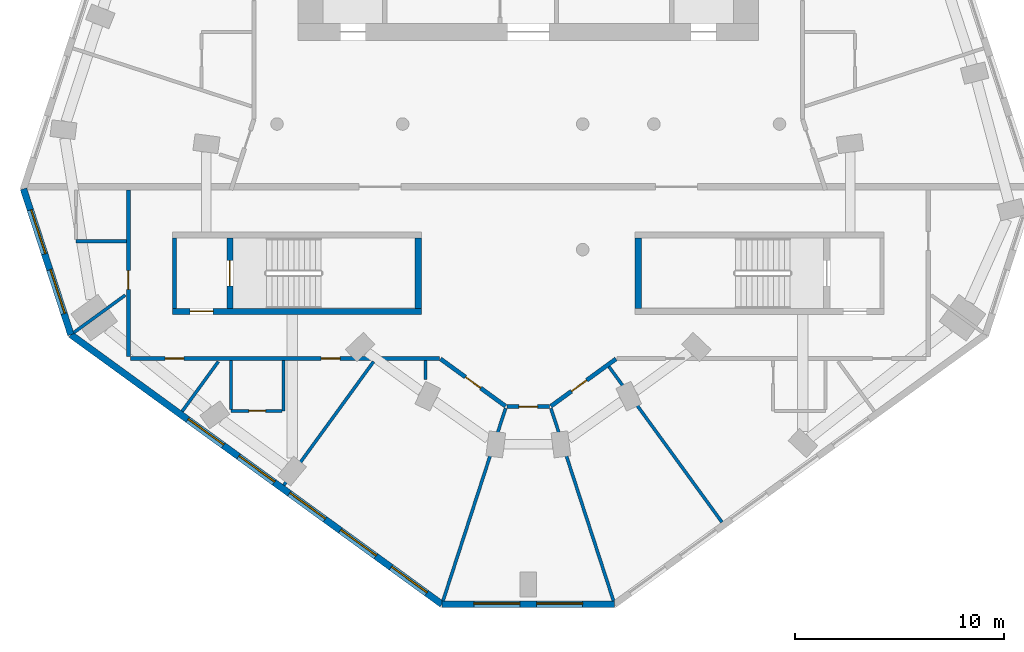
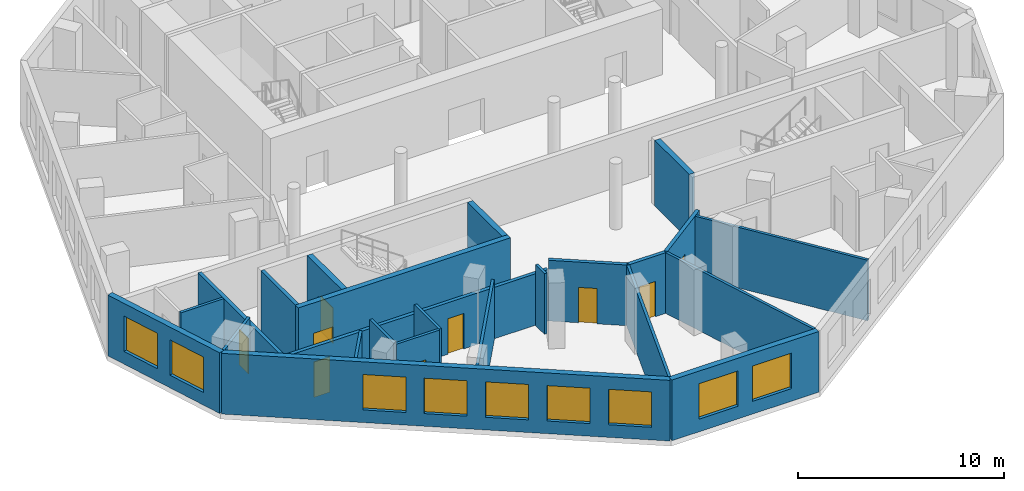
# One storey, part 2 of 9: 24 walls, 9 doors, 9 windows, 18 openings.
"""IFC4 building model written with IfcOpenShell, lengths in metres."""

from ifc_helpers import new_model, si_unit, direction, frame, frame_2d, origin, place, context, subcontext, project, spatial, rectangle, extrude, material, layer, layer_set, type_object, element, fill, save


model = new_model("IFC4")

# Units and contexts
model_context = context("Model", 3, precision=1e-05, world=origin(), true_north=direction((0.0, 1.0)))
body_context = subcontext(model_context, "Body", "Model", "MODEL_VIEW")
ifc_project = project(units=[si_unit("LENGTHUNIT", "METRE"), si_unit("AREAUNIT", "SQUARE_METRE"), si_unit("VOLUMEUNIT", "CUBIC_METRE"), si_unit("PLANEANGLEUNIT", "RADIAN"), si_unit("MASSUNIT", "GRAM", prefix="KILO")], contexts=[model_context])

# Site, building, storey
site_placement = place(None, origin())
site = spatial("IfcSite", under=ifc_project, at=site_placement, CompositionType="ELEMENT")
building_placement = place(site_placement, origin())
building = spatial("IfcBuilding", under=site, at=building_placement, Name="White Candle Pilgrim Tower", CompositionType="ELEMENT")
storey_placement = place(building_placement, frame((0.0, 0.0, 235.5)))
storey = spatial("IfcBuildingStorey", under=building, at=storey_placement, Name="L55", CompositionType="ELEMENT", Elevation=235.5)

# Wall
ifc_material_1 = material(Name="Concrete C50/60", Category="concrete")
ifc_layer_1 = layer(ifc_material_1, 0.199951171875)
ifc_layer_set_1 = layer_set([ifc_layer_1], Name="Core wall 200 mm Concrete C50/60")
wall_type_1 = type_object("IfcWallType", Name="Core wall 200 mm Concrete C50/60", PredefinedType="SHEAR", material=ifc_layer_set_1)
wall_1_placement = place(storey_placement, frame((53.10009765625, 58.199951171875, 0.0), z_axis=(0.0, 0.0, 1.0), x_axis=(0.0, 1.0, 0.0)))
element("IfcWall", 1, at=wall_1_placement, inside=storey, type_object=wall_type_1, Name="WL-L55-C03", PredefinedType="SHEAR", context=body_context, shape_type="SweptSolid", body=[
    extrude(rectangle(XDim=3.35009765625, YDim=0.199951171875, at=frame_2d((1.675048828125, 0.0))), origin(), (0.0, 0.0, 1.0), 3.89990234375),
])

# Wall, opening, door
ifc_material_2 = material(Name="Gypsum board on steel studs", Category="steel")
ifc_layer_2 = layer(ifc_material_2, 0.199951171875)
ifc_layer_set_2 = layer_set([ifc_layer_2], Name="Corridor wall 200 mm EI 45")
wall_type_2 = type_object("IfcWallType", Name="Corridor wall 200 mm EI 45", PredefinedType="PARTITIONING", material=ifc_layer_set_2)
wall_2_placement = place(storey_placement, frame((74.18994140625, 55.781005859375, 0.0), z_axis=(0.0, 0.0, 1.0), x_axis=(-0.809008130168, -0.587797452633, 0.0)))
wall_2 = element("IfcWall", 2, at=wall_2_placement, inside=storey, type_object=wall_type_2, Name="WL-L55-P008", PredefinedType="PARTITIONING", context=body_context, shape_type="SweptSolid", body=[
    extrude(rectangle(XDim=3.8408203125, YDim=0.199951171875, at=frame_2d((1.92041015625, 0.0))), origin(), (0.0, 0.0, 1.0), 3.60009765625),
])
opening_1_placement = place(wall_2_placement, frame((1.730712890625, 0.0, 0.0)))
opening_1 = element("IfcOpeningElement", 3, at=opening_1_placement, cuts=wall_2, Name="Opening T17-110", PredefinedType="OPENING", context=body_context, shape_type="SweptSolid", body=[
    extrude(rectangle(XDim=0.89990234375, YDim=2.10009765625, at=frame_2d((0.449951171875, 1.050048828125))), frame((0.0, 0.10986328125, 0.0), z_axis=(0.0, -1.0, 0.0), x_axis=(1.0, 0.0, 0.0)), (0.0, 0.0, 1.0), 0.219970703125),
])
ifc_material_3 = material(Name="Steel door leaf", Category="steel")
door_type_1 = type_object("IfcDoorType", Name="Fire door 900 x 2100 EI 30", OperationType="NOTDEFINED", PredefinedType="DOOR", material=ifc_material_3)
door_1_placement = place(opening_1_placement, origin())
door_1 = element("IfcDoor", 4, at=door_1_placement, inside=storey, type_object=door_type_1, Name="Door T17-110", OperationType="SINGLE_SWING_RIGHT", OverallHeight=2.10009765625, OverallWidth=0.89990234375, PredefinedType="DOOR", context=body_context, shape_type="SweptSolid", body=[
    extrude(rectangle(XDim=0.89990234375, YDim=2.10009765625, at=frame_2d((0.449951171875, 1.050048828125))), frame((0.0, 0.02490234375, 0.0), z_axis=(0.0, -1.0, 0.0), x_axis=(1.0, 0.0, 0.0)), (0.0, 0.0, 1.0), 0.050048828125),
])
fill(opening_1, door_1)

wall_3_placement = place(storey_placement, frame((71.02392578125, 53.50439453125, 0.0), z_axis=(0.0, 0.0, 1.0), x_axis=(-1.0, 0.0, 0.0)))
wall_3 = element("IfcWall", 5, at=wall_3_placement, inside=storey, type_object=wall_type_2, Name="WL-L55-P009", PredefinedType="PARTITIONING", context=body_context, shape_type="SweptSolid", body=[
    extrude(rectangle(XDim=2.0478515625, YDim=0.199951171875, at=frame_2d((1.02392578125, 0.0))), origin(), (0.0, 0.0, 1.0), 3.60009765625),
])
opening_2_placement = place(wall_3_placement, frame((0.573974609375, 0.0, 0.0)))
opening_2 = element("IfcOpeningElement", 6, at=opening_2_placement, cuts=wall_3, Name="Opening T17-109", PredefinedType="OPENING", context=body_context, shape_type="SweptSolid", body=[
    extrude(rectangle(XDim=0.89990234375, YDim=2.10009765625, at=frame_2d((0.449951171875, 1.050048828125))), frame((0.0, 0.10986328125, 0.0), z_axis=(0.0, -1.0, 0.0), x_axis=(1.0, 0.0, 0.0)), (0.0, 0.0, 1.0), 0.219970703125),
])
door_2_placement = place(opening_2_placement, origin())
door_2 = element("IfcDoor", 7, at=door_2_placement, inside=storey, type_object=door_type_1, Name="Door T17-109", OperationType="SINGLE_SWING_LEFT", OverallHeight=2.10009765625, OverallWidth=0.89990234375, PredefinedType="DOOR", context=body_context, shape_type="SweptSolid", body=[
    extrude(rectangle(XDim=0.89990234375, YDim=2.10009765625, at=frame_2d((0.449951171875, 1.050048828125))), frame((0.0, 0.02490234375, 0.0), z_axis=(0.0, -1.0, 0.0), x_axis=(1.0, 0.0, 0.0)), (0.0, 0.0, 1.0), 0.050048828125),
])
fill(opening_2, door_2)

wall_4_placement = place(storey_placement, frame((68.917236328125, 53.5234375, 0.0), z_axis=(0.0, 0.0, 1.0), x_axis=(-0.809008130168, 0.587797452633, 0.0)))
wall_4 = element("IfcWall", 8, at=wall_4_placement, inside=storey, type_object=wall_type_2, Name="WL-L55-P010", PredefinedType="PARTITIONING", context=body_context, shape_type="SweptSolid", body=[
    extrude(rectangle(XDim=3.8408203125, YDim=0.199951171875, at=frame_2d((1.92041015625, 0.0))), origin(), (0.0, 0.0, 1.0), 3.60009765625),
])
opening_3_placement = place(wall_4_placement, frame((1.47021484375, 0.0, 0.0)))
opening_3 = element("IfcOpeningElement", 9, at=opening_3_placement, cuts=wall_4, Name="Opening T17-108", PredefinedType="OPENING", context=body_context, shape_type="SweptSolid", body=[
    extrude(rectangle(XDim=0.89990234375, YDim=2.10009765625, at=frame_2d((0.449951171875, 1.050048828125))), frame((0.0, 0.10986328125, 0.0), z_axis=(0.0, -1.0, 0.0), x_axis=(1.0, 0.0, 0.0)), (0.0, 0.0, 1.0), 0.219970703125),
])
door_3_placement = place(opening_3_placement, origin())
door_3 = element("IfcDoor", 10, at=door_3_placement, inside=storey, type_object=door_type_1, Name="Door T17-108", OperationType="SINGLE_SWING_RIGHT", OverallHeight=2.10009765625, OverallWidth=0.89990234375, PredefinedType="DOOR", context=body_context, shape_type="SweptSolid", body=[
    extrude(rectangle(XDim=0.89990234375, YDim=2.10009765625, at=frame_2d((0.449951171875, 1.050048828125))), frame((0.0, 0.02490234375, 0.0), z_axis=(0.0, -1.0, 0.0), x_axis=(1.0, 0.0, 0.0)), (0.0, 0.0, 1.0), 0.050048828125),
])
fill(opening_3, door_3)

# Wall, openings, doors
wall_5_placement = place(storey_placement, frame((65.751220703125, 55.800048828125, 0.0), z_axis=(0.0, 0.0, 1.0), x_axis=(-1.0, 0.0, 0.0)))
wall_5 = element("IfcWall", 11, at=wall_5_placement, inside=storey, type_object=wall_type_2, Name="WL-L55-P011", PredefinedType="PARTITIONING", context=body_context, shape_type="SweptSolid", body=[
    extrude(rectangle(XDim=14.751220703125, YDim=0.199951171875, at=frame_2d((7.37548828125, 0.0))), origin(), (0.0, 0.0, 1.0), 3.050048828125),
])
opening_4_placement = place(wall_5_placement, frame((12.19970703125, 0.0, 0.0)))
opening_4 = element("IfcOpeningElement", 12, at=opening_4_placement, cuts=wall_5, Name="Opening T17-105", PredefinedType="OPENING", context=body_context, shape_type="SweptSolid", body=[
    extrude(rectangle(XDim=0.89990234375, YDim=2.10009765625, at=frame_2d((0.449951171875, 1.050048828125))), frame((0.0, 0.10986328125, 0.0), z_axis=(0.0, -1.0, 0.0), x_axis=(1.0, 0.0, 0.0)), (0.0, 0.0, 1.0), 0.219970703125),
])
opening_5_placement = place(wall_5_placement, frame((4.739990234375, 0.0, 0.0)))
opening_5 = element("IfcOpeningElement", 13, at=opening_5_placement, cuts=wall_5, Name="Opening T17-107", PredefinedType="OPENING", context=body_context, shape_type="SweptSolid", body=[
    extrude(rectangle(XDim=0.89990234375, YDim=2.10009765625, at=frame_2d((0.449951171875, 1.050048828125))), frame((0.0, 0.10986328125, 0.0), z_axis=(0.0, -1.0, 0.0), x_axis=(1.0, 0.0, 0.0)), (0.0, 0.0, 1.0), 0.219970703125),
])
door_4_placement = place(opening_4_placement, origin())
door_4 = element("IfcDoor", 14, at=door_4_placement, inside=storey, type_object=door_type_1, Name="Door T17-105", OperationType="SINGLE_SWING_LEFT", OverallHeight=2.10009765625, OverallWidth=0.89990234375, PredefinedType="DOOR", context=body_context, shape_type="SweptSolid", body=[
    extrude(rectangle(XDim=0.89990234375, YDim=2.10009765625, at=frame_2d((0.449951171875, 1.050048828125))), frame((0.0, 0.02490234375, 0.0), z_axis=(0.0, -1.0, 0.0), x_axis=(1.0, 0.0, 0.0)), (0.0, 0.0, 1.0), 0.050048828125),
])
fill(opening_4, door_4)
door_5_placement = place(opening_5_placement, origin())
door_5 = element("IfcDoor", 15, at=door_5_placement, inside=storey, type_object=door_type_1, Name="Door T17-107", OperationType="SINGLE_SWING_LEFT", OverallHeight=2.10009765625, OverallWidth=0.89990234375, PredefinedType="DOOR", context=body_context, shape_type="SweptSolid", body=[
    extrude(rectangle(XDim=0.89990234375, YDim=2.10009765625, at=frame_2d((0.449951171875, 1.050048828125))), frame((0.0, 0.02490234375, 0.0), z_axis=(0.0, -1.0, 0.0), x_axis=(1.0, 0.0, 0.0)), (0.0, 0.0, 1.0), 0.050048828125),
])
fill(opening_5, door_5)

# Wall, opening, door
wall_6_placement = place(storey_placement, frame((50.89990234375, 55.89990234375, 0.0), z_axis=(0.0, 0.0, 1.0), x_axis=(0.0, 1.0, 0.0)))
wall_6 = element("IfcWall", 16, at=wall_6_placement, inside=storey, type_object=wall_type_2, Name="WL-L55-P012", PredefinedType="PARTITIONING", context=body_context, shape_type="SweptSolid", body=[
    extrude(rectangle(XDim=7.9501953125, YDim=0.199951171875, at=frame_2d((3.97509765625, 0.0))), origin(), (0.0, 0.0, 1.0), 3.14990234375),
])
opening_6_placement = place(wall_6_placement, frame((3.203369140625, 0.0, 0.0)))
opening_6 = element("IfcOpeningElement", 17, at=opening_6_placement, cuts=wall_6, Name="Opening T17-104", PredefinedType="OPENING", context=body_context, shape_type="SweptSolid", body=[
    extrude(rectangle(XDim=0.89990234375, YDim=2.10009765625, at=frame_2d((0.449951171875, 1.050048828125))), frame((0.0, 0.10986328125, 0.0), z_axis=(0.0, -1.0, 0.0), x_axis=(1.0, 0.0, 0.0)), (0.0, 0.0, 1.0), 0.219970703125),
])
door_6_placement = place(opening_6_placement, origin())
door_6 = element("IfcDoor", 18, at=door_6_placement, inside=storey, type_object=door_type_1, Name="Door T17-104", OperationType="SINGLE_SWING_RIGHT", OverallHeight=2.10009765625, OverallWidth=0.89990234375, PredefinedType="DOOR", context=body_context, shape_type="SweptSolid", body=[
    extrude(rectangle(XDim=0.89990234375, YDim=2.10009765625, at=frame_2d((0.449951171875, 1.050048828125))), frame((0.0, 0.02490234375, 0.0), z_axis=(0.0, -1.0, 0.0), x_axis=(1.0, 0.0, 0.0)), (0.0, 0.0, 1.0), 0.050048828125),
])
fill(opening_6, door_6)

# Wall, openings, windows
ifc_material_4 = material(Name="Precast concrete C40/50", Category="concrete")
ifc_layer_3 = layer(ifc_material_4, 0.320068359375)
ifc_layer_set_3 = layer_set([ifc_layer_3], Name="Facade wall EW1 precast concrete C40/50 pier wall with timber-lined reveals")
wall_type_3 = type_object("IfcWallType", Name="Facade wall EW1 precast concrete C40/50 pier wall with timber-lined reveals", PredefinedType="SOLIDWALL", material=ifc_layer_set_3)
wall_7_placement = place(storey_placement, frame((45.8935546875, 63.900390625, 0.0), z_axis=(0.0, 0.0, 1.0), x_axis=(0.309034031294, -0.951050980496, 0.0)))
wall_7 = element("IfcWall", 19, at=wall_7_placement, inside=storey, type_object=wall_type_3, Name="Facade wall L55 W chamfer", PredefinedType="SOLIDWALL", context=body_context, shape_type="SweptSolid", body=[
    extrude(rectangle(XDim=7.319580078125, YDim=0.320068359375, at=frame_2d((3.65966796875, 0.0))), origin(), (0.0, 0.0, 1.0), 3.60009765625),
])
opening_7_placement = place(wall_7_placement, frame((1.059814453125, 0.0, 0.75)))
opening_7 = element("IfcOpeningElement", 20, at=opening_7_placement, cuts=wall_7, Name="Opening W4", PredefinedType="OPENING", context=body_context, shape_type="SweptSolid", body=[
    extrude(rectangle(XDim=2.199951171875, YDim=2.10009765625, at=frame_2d((1.10009765625, 1.050048828125))), frame((0.0, 0.169921875, 0.0), z_axis=(0.0, -1.0, 0.0), x_axis=(1.0, 0.0, 0.0)), (0.0, 0.0, 1.0), 0.340087890625),
])
opening_8_placement = place(wall_7_placement, frame((4.059814453125, 0.0, 0.75)))
opening_8 = element("IfcOpeningElement", 21, at=opening_8_placement, cuts=wall_7, Name="Opening W4", PredefinedType="OPENING", context=body_context, shape_type="SweptSolid", body=[
    extrude(rectangle(XDim=2.199951171875, YDim=2.10009765625, at=frame_2d((1.10009765625, 1.050048828125))), frame((0.0, 0.169921875, 0.0), z_axis=(0.0, -1.0, 0.0), x_axis=(1.0, 0.0, 0.0)), (0.0, 0.0, 1.0), 0.340087890625),
])
ifc_material_5 = material(Name="Timber frame with triple glazing", Category="wood")
window_type_1 = type_object("IfcWindowType", Name="Window W4 2200x2100 timber frame triple glazing", PartitioningType="SINGLE_PANEL", PredefinedType="WINDOW", material=ifc_material_5)
window_1_placement = place(opening_7_placement, origin())
window_1 = element("IfcWindow", 22, at=window_1_placement, inside=storey, type_object=window_type_1, Name="Window W4 L55 W chamfer 1", OverallHeight=2.10009765625, OverallWidth=2.199951171875, PartitioningType="SINGLE_PANEL", PredefinedType="WINDOW", context=body_context, shape_type="SweptSolid", body=[
    extrude(rectangle(XDim=2.199951171875, YDim=2.10009765625, at=frame_2d((1.10009765625, 1.050048828125))), frame((0.0, 0.070068359375, 0.0), z_axis=(0.0, -1.0, 0.0), x_axis=(1.0, 0.0, 0.0)), (0.0, 0.0, 1.0), 0.06005859375),
])
fill(opening_7, window_1)
window_2_placement = place(opening_8_placement, origin())
window_2 = element("IfcWindow", 23, at=window_2_placement, inside=storey, type_object=window_type_1, Name="Window W4 L55 W chamfer 2", OverallHeight=2.10009765625, OverallWidth=2.199951171875, PartitioningType="SINGLE_PANEL", PredefinedType="WINDOW", context=body_context, shape_type="SweptSolid", body=[
    extrude(rectangle(XDim=2.199951171875, YDim=2.10009765625, at=frame_2d((1.10009765625, 1.050048828125))), frame((0.0, 0.070068359375, 0.0), z_axis=(0.0, -1.0, 0.0), x_axis=(1.0, 0.0, 0.0)), (0.0, 0.0, 1.0), 0.06005859375),
])
fill(opening_8, window_2)

wall_8_placement = place(storey_placement, frame((48.155517578125, 56.939208984375, 0.0), z_axis=(0.0, 0.0, 1.0), x_axis=(0.809013617361, -0.587789900325, 0.0)))
wall_8 = element("IfcWall", 24, at=wall_8_placement, inside=storey, type_object=wall_type_3, Name="Facade wall L55 SW", PredefinedType="SOLIDWALL", context=body_context, shape_type="SweptSolid", body=[
    extrude(rectangle(XDim=21.904052734375, YDim=0.320068359375, at=frame_2d((10.9521484375, 0.0))), origin(), (0.0, 0.0, 1.0), 3.60009765625),
])
opening_9_placement = place(wall_8_placement, frame((6.902099609375, 0.0, 0.75)))
opening_9 = element("IfcOpeningElement", 25, at=opening_9_placement, cuts=wall_8, Name="Opening W3", PredefinedType="OPENING", context=body_context, shape_type="SweptSolid", body=[
    extrude(rectangle(XDim=2.10009765625, YDim=2.10009765625, at=frame_2d((1.050048828125, 1.050048828125))), frame((0.0, 0.169921875, 0.0), z_axis=(0.0, -1.0, 0.0), x_axis=(1.0, 0.0, 0.0)), (0.0, 0.0, 1.0), 0.340087890625),
])
opening_10_placement = place(wall_8_placement, frame((9.902099609375, 0.0, 0.75)))
opening_10 = element("IfcOpeningElement", 26, at=opening_10_placement, cuts=wall_8, Name="Opening W3", PredefinedType="OPENING", context=body_context, shape_type="SweptSolid", body=[
    extrude(rectangle(XDim=2.10009765625, YDim=2.10009765625, at=frame_2d((1.050048828125, 1.050048828125))), frame((0.0, 0.169921875, 0.0), z_axis=(0.0, -1.0, 0.0), x_axis=(1.0, 0.0, 0.0)), (0.0, 0.0, 1.0), 0.340087890625),
])
opening_11_placement = place(wall_8_placement, frame((12.902099609375, 0.0, 0.75)))
opening_11 = element("IfcOpeningElement", 27, at=opening_11_placement, cuts=wall_8, Name="Opening W3", PredefinedType="OPENING", context=body_context, shape_type="SweptSolid", body=[
    extrude(rectangle(XDim=2.10009765625, YDim=2.10009765625, at=frame_2d((1.050048828125, 1.050048828125))), frame((0.0, 0.169921875, 0.0), z_axis=(0.0, -1.0, 0.0), x_axis=(1.0, 0.0, 0.0)), (0.0, 0.0, 1.0), 0.340087890625),
])
opening_12_placement = place(wall_8_placement, frame((15.902099609375, 0.0, 0.75)))
opening_12 = element("IfcOpeningElement", 28, at=opening_12_placement, cuts=wall_8, Name="Opening W3", PredefinedType="OPENING", context=body_context, shape_type="SweptSolid", body=[
    extrude(rectangle(XDim=2.10009765625, YDim=2.10009765625, at=frame_2d((1.050048828125, 1.050048828125))), frame((0.0, 0.169921875, 0.0), z_axis=(0.0, -1.0, 0.0), x_axis=(1.0, 0.0, 0.0)), (0.0, 0.0, 1.0), 0.340087890625),
])
opening_13_placement = place(wall_8_placement, frame((18.902099609375, 0.0, 0.75)))
opening_13 = element("IfcOpeningElement", 29, at=opening_13_placement, cuts=wall_8, Name="Opening W3", PredefinedType="OPENING", context=body_context, shape_type="SweptSolid", body=[
    extrude(rectangle(XDim=2.10009765625, YDim=2.10009765625, at=frame_2d((1.050048828125, 1.050048828125))), frame((0.0, 0.169921875, 0.0), z_axis=(0.0, -1.0, 0.0), x_axis=(1.0, 0.0, 0.0)), (0.0, 0.0, 1.0), 0.340087890625),
])
window_type_2 = type_object("IfcWindowType", Name="Window W3 2100x2100 timber frame triple glazing", PartitioningType="SINGLE_PANEL", PredefinedType="WINDOW", material=ifc_material_5)
window_3_placement = place(opening_9_placement, origin())
window_3 = element("IfcWindow", 30, at=window_3_placement, inside=storey, type_object=window_type_2, Name="Window W3 L55 SW 3", OverallHeight=2.10009765625, OverallWidth=2.10009765625, PartitioningType="SINGLE_PANEL", PredefinedType="WINDOW", context=body_context, shape_type="SweptSolid", body=[
    extrude(rectangle(XDim=2.10009765625, YDim=2.10009765625, at=frame_2d((1.050048828125, 1.050048828125))), frame((0.0, 0.070068359375, 0.0), z_axis=(0.0, -1.0, 0.0), x_axis=(1.0, 0.0, 0.0)), (0.0, 0.0, 1.0), 0.06005859375),
])
fill(opening_9, window_3)
window_4_placement = place(opening_10_placement, origin())
window_4 = element("IfcWindow", 31, at=window_4_placement, inside=storey, type_object=window_type_2, Name="Window W3 L55 SW 4", OverallHeight=2.10009765625, OverallWidth=2.10009765625, PartitioningType="SINGLE_PANEL", PredefinedType="WINDOW", context=body_context, shape_type="SweptSolid", body=[
    extrude(rectangle(XDim=2.10009765625, YDim=2.10009765625, at=frame_2d((1.050048828125, 1.050048828125))), frame((0.0, 0.070068359375, 0.0), z_axis=(0.0, -1.0, 0.0), x_axis=(1.0, 0.0, 0.0)), (0.0, 0.0, 1.0), 0.06005859375),
])
fill(opening_10, window_4)
window_5_placement = place(opening_11_placement, origin())
window_5 = element("IfcWindow", 32, at=window_5_placement, inside=storey, type_object=window_type_2, Name="Window W3 L55 SW 5", OverallHeight=2.10009765625, OverallWidth=2.10009765625, PartitioningType="SINGLE_PANEL", PredefinedType="WINDOW", context=body_context, shape_type="SweptSolid", body=[
    extrude(rectangle(XDim=2.10009765625, YDim=2.10009765625, at=frame_2d((1.050048828125, 1.050048828125))), frame((0.0, 0.070068359375, 0.0), z_axis=(0.0, -1.0, 0.0), x_axis=(1.0, 0.0, 0.0)), (0.0, 0.0, 1.0), 0.06005859375),
])
fill(opening_11, window_5)
window_6_placement = place(opening_12_placement, origin())
window_6 = element("IfcWindow", 33, at=window_6_placement, inside=storey, type_object=window_type_2, Name="Window W3 L55 SW 6", OverallHeight=2.10009765625, OverallWidth=2.10009765625, PartitioningType="SINGLE_PANEL", PredefinedType="WINDOW", context=body_context, shape_type="SweptSolid", body=[
    extrude(rectangle(XDim=2.10009765625, YDim=2.10009765625, at=frame_2d((1.050048828125, 1.050048828125))), frame((0.0, 0.070068359375, 0.0), z_axis=(0.0, -1.0, 0.0), x_axis=(1.0, 0.0, 0.0)), (0.0, 0.0, 1.0), 0.06005859375),
])
fill(opening_12, window_6)
window_7_placement = place(opening_13_placement, origin())
window_7 = element("IfcWindow", 34, at=window_7_placement, inside=storey, type_object=window_type_2, Name="Window W3 L55 SW 7", OverallHeight=2.10009765625, OverallWidth=2.10009765625, PartitioningType="SINGLE_PANEL", PredefinedType="WINDOW", context=body_context, shape_type="SweptSolid", body=[
    extrude(rectangle(XDim=2.10009765625, YDim=2.10009765625, at=frame_2d((1.050048828125, 1.050048828125))), frame((0.0, 0.070068359375, 0.0), z_axis=(0.0, -1.0, 0.0), x_axis=(1.0, 0.0, 0.0)), (0.0, 0.0, 1.0), 0.06005859375),
])
fill(opening_13, window_7)

wall_9_placement = place(storey_placement, frame((65.876220703125, 44.064208984375, 0.0), z_axis=(0.0, 0.0, 1.0), x_axis=(1.0, 0.0, 0.0)))
wall_9 = element("IfcWall", 35, at=wall_9_placement, inside=storey, type_object=wall_type_3, Name="Facade wall L55 S chamfer", PredefinedType="SOLIDWALL", context=body_context, shape_type="SweptSolid", body=[
    extrude(rectangle(XDim=8.24755859375, YDim=0.320068359375, at=frame_2d((4.123779296875, 0.0))), origin(), (0.0, 0.0, 1.0), 3.60009765625),
])
opening_14_placement = place(wall_9_placement, frame((1.523681640625, 0.0, 0.75)))
opening_14 = element("IfcOpeningElement", 36, at=opening_14_placement, cuts=wall_9, Name="Opening W4", PredefinedType="OPENING", context=body_context, shape_type="SweptSolid", body=[
    extrude(rectangle(XDim=2.199951171875, YDim=2.10009765625, at=frame_2d((1.10009765625, 1.050048828125))), frame((0.0, 0.169921875, 0.0), z_axis=(0.0, -1.0, 0.0), x_axis=(1.0, 0.0, 0.0)), (0.0, 0.0, 1.0), 0.340087890625),
])
opening_15_placement = place(wall_9_placement, frame((4.523681640625, 0.0, 0.75)))
opening_15 = element("IfcOpeningElement", 37, at=opening_15_placement, cuts=wall_9, Name="Opening W4", PredefinedType="OPENING", context=body_context, shape_type="SweptSolid", body=[
    extrude(rectangle(XDim=2.199951171875, YDim=2.10009765625, at=frame_2d((1.10009765625, 1.050048828125))), frame((0.0, 0.169921875, 0.0), z_axis=(0.0, -1.0, 0.0), x_axis=(1.0, 0.0, 0.0)), (0.0, 0.0, 1.0), 0.340087890625),
])
window_8_placement = place(opening_14_placement, origin())
window_8 = element("IfcWindow", 38, at=window_8_placement, inside=storey, type_object=window_type_1, Name="Window W4 L55 S chamfer 1", OverallHeight=2.10009765625, OverallWidth=2.199951171875, PartitioningType="SINGLE_PANEL", PredefinedType="WINDOW", context=body_context, shape_type="SweptSolid", body=[
    extrude(rectangle(XDim=2.199951171875, YDim=2.10009765625, at=frame_2d((1.10009765625, 1.050048828125))), frame((0.0, 0.070068359375, 0.0), z_axis=(0.0, -1.0, 0.0), x_axis=(1.0, 0.0, 0.0)), (0.0, 0.0, 1.0), 0.06005859375),
])
fill(opening_14, window_8)
window_9_placement = place(opening_15_placement, origin())
window_9 = element("IfcWindow", 39, at=window_9_placement, inside=storey, type_object=window_type_1, Name="Window W4 L55 S chamfer 2", OverallHeight=2.10009765625, OverallWidth=2.199951171875, PartitioningType="SINGLE_PANEL", PredefinedType="WINDOW", context=body_context, shape_type="SweptSolid", body=[
    extrude(rectangle(XDim=2.199951171875, YDim=2.10009765625, at=frame_2d((1.10009765625, 1.050048828125))), frame((0.0, 0.070068359375, 0.0), z_axis=(0.0, -1.0, 0.0), x_axis=(1.0, 0.0, 0.0)), (0.0, 0.0, 1.0), 0.06005859375),
])
fill(opening_15, window_9)

# Walls
ifc_layer_4 = layer(ifc_material_2, 0.14990234375)
ifc_layer_set_4 = layer_set([ifc_layer_4], Name="Partition 150 mm EI 60")
wall_type_4 = type_object("IfcWallType", Name="Partition 150 mm EI 60", PredefinedType="PARTITIONING", material=ifc_layer_set_4)
wall_10_placement = place(storey_placement, frame((48.29150390625, 57.0380859375, 0.0), z_axis=(0.0, 0.0, 1.0), x_axis=(0.809006333386, 0.587799925605, 0.0)))
element("IfcWall", 40, at=wall_10_placement, inside=storey, type_object=wall_type_4, Name="WL-L55-P014", PredefinedType="PARTITIONING", context=body_context, shape_type="SweptSolid", body=[
    extrude(rectangle(XDim=3.046142578125, YDim=0.14990234375, at=frame_2d((1.52294921875, 0.0))), origin(), (0.0, 0.0, 1.0), 3.60009765625),
])
for number, where, z_axis, x_axis, name in (
    (41, (65.92822265625, 44.224365234375, 0.0), (0.0, 0.0, 1.0), (0.309025002574, 0.951053914236, 0.0), "WL-L55-P015"),
    (42, (74.07177734375, 44.224365234375, 0.0), (0.0, 0.0, 1.0), (-0.309025002574, 0.951053914236, 0.0), "WL-L55-P016"),
):
    element("IfcWall", number, at=place(storey_placement, frame(where, z_axis=z_axis, x_axis=x_axis)), inside=storey, type_object=wall_type_4, Name=name, PredefinedType="PARTITIONING", context=body_context, shape_type="SweptSolid", body=[
        extrude(rectangle(XDim=9.67236328125, YDim=0.14990234375, at=frame_2d((4.836181640625, 0.0))), origin(), (0.0, 0.0, 1.0), 3.60009765625),
    ])
wall_11_placement = place(storey_placement, frame((50.800048828125, 61.400390625, 0.0), z_axis=(0.0, 0.0, 1.0), x_axis=(-1.0, 0.0, 0.0)))
element("IfcWall", 43, at=wall_11_placement, inside=storey, type_object=wall_type_4, Name="WL-L55-P026", PredefinedType="PARTITIONING", context=body_context, shape_type="SweptSolid", body=[
    extrude(rectangle(XDim=2.400146484375, YDim=0.14990234375, at=frame_2d((1.2001953125, 0.0))), origin(), (0.0, 0.0, 1.0), 3.14990234375),
])
wall_12_placement = place(storey_placement, frame((53.46923828125, 53.276123046875, 0.0), z_axis=(0.0, 0.0, 1.0), x_axis=(0.587766969839, 0.809030277039, 0.0)))
element("IfcWall", 44, at=wall_12_placement, inside=storey, type_object=wall_type_4, Name="WL-L55-P028", PredefinedType="PARTITIONING", context=body_context, shape_type="SweptSolid", body=[
    extrude(rectangle(XDim=2.941650390625, YDim=0.14990234375, at=frame_2d((1.470703125, 0.0))), origin(), (0.0, 0.0, 1.0), 3.14990234375),
])
wall_13_placement = place(storey_placement, frame((58.323486328125, 49.74951171875, 0.0), z_axis=(0.0, 0.0, 1.0), x_axis=(0.587779925433, 0.809020864538, 0.0)))
element("IfcWall", 45, at=wall_13_placement, inside=storey, type_object=wall_type_4, Name="WL-L55-P029", PredefinedType="PARTITIONING", context=body_context, shape_type="SweptSolid", body=[
    extrude(rectangle(XDim=7.30078125, YDim=0.14990234375, at=frame_2d((3.650390625, 0.0))), origin(), (0.0, 0.0, 1.0), 3.60009765625),
])
wall_14_placement = place(storey_placement, frame((58.302978515625, 55.699951171875, 0.0), z_axis=(0.0, 0.0, 1.0), x_axis=(0.0, -1.0, 0.0)))
element("IfcWall", 46, at=wall_14_placement, inside=storey, type_object=wall_type_4, Name="WL-L55-P030", PredefinedType="PARTITIONING", context=body_context, shape_type="SweptSolid", body=[
    extrude(rectangle(XDim=2.39990234375, YDim=0.14990234375, at=frame_2d((1.199951171875, 0.0))), origin(), (0.0, 0.0, 1.0), 3.60009765625),
])

# Wall, opening, door
wall_15_placement = place(storey_placement, frame((55.802978515625, 53.300048828125, 0.0), z_axis=(0.0, 0.0, 1.0), x_axis=(1.0, 0.0, 0.0)))
wall_15 = element("IfcWall", 47, at=wall_15_placement, inside=storey, type_object=wall_type_4, Name="WL-L55-P031", PredefinedType="PARTITIONING", context=body_context, shape_type="SweptSolid", body=[
    extrude(rectangle(XDim=2.4248046875, YDim=0.14990234375, at=frame_2d((1.21240234375, 0.0))), origin(), (0.0, 0.0, 1.0), 3.60009765625),
])
opening_16_placement = place(wall_15_placement, frame((0.85009765625, 0.0, 0.0)))
opening_16 = element("IfcOpeningElement", 48, at=opening_16_placement, cuts=wall_15, Name="Opening T17-106", PredefinedType="OPENING", context=body_context, shape_type="SweptSolid", body=[
    extrude(rectangle(XDim=0.800048828125, YDim=2.10009765625, at=frame_2d((0.39990234375, 1.050048828125))), frame((0.0, 0.0849609375, 0.0), z_axis=(0.0, -1.0, 0.0), x_axis=(1.0, 0.0, 0.0)), (0.0, 0.0, 1.0), 0.169921875),
])
door_type_2 = type_object("IfcDoorType", Name="Fire door 800 x 2100 EI 30", OperationType="NOTDEFINED", PredefinedType="DOOR", material=ifc_material_3)
door_7_placement = place(opening_16_placement, frame((0.800048828125, 0.0, 0.0), z_axis=(0.0, 0.0, 1.0), x_axis=(-1.0, 0.0, 0.0)))
door_7 = element("IfcDoor", 49, at=door_7_placement, inside=storey, type_object=door_type_2, Name="Door T17-106", OperationType="SINGLE_SWING_LEFT", OverallHeight=2.10009765625, OverallWidth=0.800048828125, PredefinedType="DOOR", context=body_context, shape_type="SweptSolid", body=[
    extrude(rectangle(XDim=0.800048828125, YDim=2.10009765625, at=frame_2d((0.39990234375, 1.050048828125))), frame((0.0, 0.02490234375, 0.0), z_axis=(0.0, -1.0, 0.0), x_axis=(1.0, 0.0, 0.0)), (0.0, 0.0, 1.0), 0.050048828125),
])
fill(opening_16, door_7)

# Walls
wall_16_placement = place(storey_placement, frame((55.802978515625, 55.699951171875, 0.0), z_axis=(0.0, 0.0, 1.0), x_axis=(0.0, -1.0, 0.0)))
element("IfcWall", 50, at=wall_16_placement, inside=storey, type_object=wall_type_4, Name="WL-L55-P032", PredefinedType="PARTITIONING", context=body_context, shape_type="SweptSolid", body=[
    extrude(rectangle(XDim=2.324951171875, YDim=0.14990234375, at=frame_2d((1.16259765625, 0.0))), origin(), (0.0, 0.0, 1.0), 3.60009765625),
])
wall_17_placement = place(storey_placement, frame((79.24951171875, 47.986083984375, 0.0), z_axis=(0.0, 0.0, 1.0), x_axis=(-0.587777877013, 0.809022352778, 0.0)))
element("IfcWall", 51, at=wall_17_placement, inside=storey, type_object=wall_type_4, Name="WL-L55-P033", PredefinedType="PARTITIONING", context=body_context, shape_type="SweptSolid", body=[
    extrude(rectangle(XDim=9.179931640625, YDim=0.14990234375, at=frame_2d((4.58984375, 0.0))), origin(), (0.0, 0.0, 1.0), 3.60009765625),
])
wall_18_placement = place(storey_placement, frame((65.095703125, 54.803955078125, 0.0), z_axis=(0.0, 0.0, 1.0), x_axis=(0.0, 1.0, 0.0)))
element("IfcWall", 52, at=wall_18_placement, inside=storey, type_object=wall_type_4, Name="WL-L55-P045", PredefinedType="PARTITIONING", context=body_context, shape_type="SweptSolid", body=[
    extrude(rectangle(XDim=0.89599609375, YDim=0.14990234375, at=frame_2d((0.447998046875, 0.0))), origin(), (0.0, 0.0, 1.0), 3.60009765625),
])

# Wall, opening, door
ifc_layer_5 = layer(ifc_material_1, 0.300048828125)
ifc_layer_set_5 = layer_set([ifc_layer_5], Name="Stair shaft wall 300 mm Concrete C50/60")
wall_type_5 = type_object("IfcWallType", Name="Stair shaft wall 300 mm Concrete C50/60", PredefinedType="SHEAR", material=ifc_layer_set_5)
wall_19_placement = place(storey_placement, frame((53.0, 58.050048828125, 0.0), z_axis=(0.0, 0.0, 1.0), x_axis=(1.0, 0.0, 0.0)))
wall_19 = element("IfcWall", 53, at=wall_19_placement, inside=storey, type_object=wall_type_5, Name="WL-L55-C01", PredefinedType="SHEAR", context=body_context, shape_type="SweptSolid", body=[
    extrude(rectangle(XDim=11.89990234375, YDim=0.300048828125, at=frame_2d((5.949951171875, 0.0))), origin(), (0.0, 0.0, 1.0), 3.89990234375),
])
opening_17_placement = place(wall_19_placement, frame((0.85009765625, 0.0, 0.0)))
opening_17 = element("IfcOpeningElement", 54, at=opening_17_placement, cuts=wall_19, Name="Opening T17-010", PredefinedType="OPENING", context=body_context, shape_type="SweptSolid", body=[
    extrude(rectangle(XDim=1.10009765625, YDim=2.10009765625, at=frame_2d((0.550048828125, 1.050048828125))), frame((0.0, 0.159912109375, 0.0), z_axis=(0.0, -1.0, 0.0), x_axis=(1.0, 0.0, 0.0)), (0.0, 0.0, 1.0), 0.320068359375),
])
door_type_3 = type_object("IfcDoorType", Name="Fire door 1100 x 2100 EI 60", OperationType="NOTDEFINED", PredefinedType="DOOR", material=ifc_material_3)
door_8_placement = place(opening_17_placement, origin())
door_8 = element("IfcDoor", 55, at=door_8_placement, inside=storey, type_object=door_type_3, Name="Door T17-010", OperationType="SINGLE_SWING_RIGHT", OverallHeight=2.10009765625, OverallWidth=1.10009765625, PredefinedType="DOOR", context=body_context, shape_type="SweptSolid", body=[
    extrude(rectangle(XDim=1.10009765625, YDim=2.10009765625, at=frame_2d((0.550048828125, 1.050048828125))), frame((0.0, 0.02490234375, 0.0), z_axis=(0.0, -1.0, 0.0), x_axis=(1.0, 0.0, 0.0)), (0.0, 0.0, 1.0), 0.050048828125),
])
fill(opening_17, door_8)

wall_20_placement = place(storey_placement, frame((55.75, 58.199951171875, 0.0), z_axis=(0.0, 0.0, 1.0), x_axis=(0.0, 1.0, 0.0)))
wall_20 = element("IfcWall", 56, at=wall_20_placement, inside=storey, type_object=wall_type_5, Name="WL-L55-C04", PredefinedType="SHEAR", context=body_context, shape_type="SweptSolid", body=[
    extrude(rectangle(XDim=3.35009765625, YDim=0.300048828125, at=frame_2d((1.675048828125, 0.0))), origin(), (0.0, 0.0, 1.0), 3.89990234375),
])
opening_18_placement = place(wall_20_placement, frame((1.074951171875, 0.0, 0.0)))
opening_18 = element("IfcOpeningElement", 57, at=opening_18_placement, cuts=wall_20, Name="Opening T17-011", PredefinedType="OPENING", context=body_context, shape_type="SweptSolid", body=[
    extrude(rectangle(XDim=1.199951171875, YDim=2.10009765625, at=frame_2d((0.60009765625, 1.050048828125))), frame((0.0, 0.159912109375, 0.0), z_axis=(0.0, -1.0, 0.0), x_axis=(1.0, 0.0, 0.0)), (0.0, 0.0, 1.0), 0.320068359375),
])
door_type_4 = type_object("IfcDoorType", Name="Fire door 1200 x 2100 EI 60", OperationType="NOTDEFINED", PredefinedType="DOOR", material=ifc_material_3)
door_9_placement = place(opening_18_placement, frame((1.199951171875, 0.0, 0.0), z_axis=(0.0, 0.0, 1.0), x_axis=(-1.0, 0.0, 0.0)))
door_9 = element("IfcDoor", 58, at=door_9_placement, inside=storey, type_object=door_type_4, Name="Door T17-011", OperationType="SINGLE_SWING_RIGHT", OverallHeight=2.10009765625, OverallWidth=1.199951171875, PredefinedType="DOOR", context=body_context, shape_type="SweptSolid", body=[
    extrude(rectangle(XDim=1.199951171875, YDim=2.10009765625, at=frame_2d((0.60009765625, 1.050048828125))), frame((0.0, 0.02490234375, 0.0), z_axis=(0.0, -1.0, 0.0), x_axis=(1.0, 0.0, 0.0)), (0.0, 0.0, 1.0), 0.050048828125),
])
fill(opening_18, door_9)

# Walls
for number, where, z_axis, x_axis, name in (
    (59, (64.75, 58.199951171875, 0.0), (0.0, 0.0, 1.0), (0.0, 1.0, 0.0), "WL-L55-C05"),
    (60, (75.25, 58.199951171875, 0.0), (0.0, 0.0, 1.0), (0.0, 1.0, 0.0), "WL-L55-C06"),
):
    element("IfcWall", number, at=place(storey_placement, frame(where, z_axis=z_axis, x_axis=x_axis)), inside=storey, type_object=wall_type_5, Name=name, PredefinedType="SHEAR", context=body_context, shape_type="SweptSolid", body=[
        extrude(rectangle(XDim=3.35009765625, YDim=0.300048828125, at=frame_2d((1.675048828125, 0.0))), origin(), (0.0, 0.0, 1.0), 3.89990234375),
    ])

save(model, "model.ifc")
